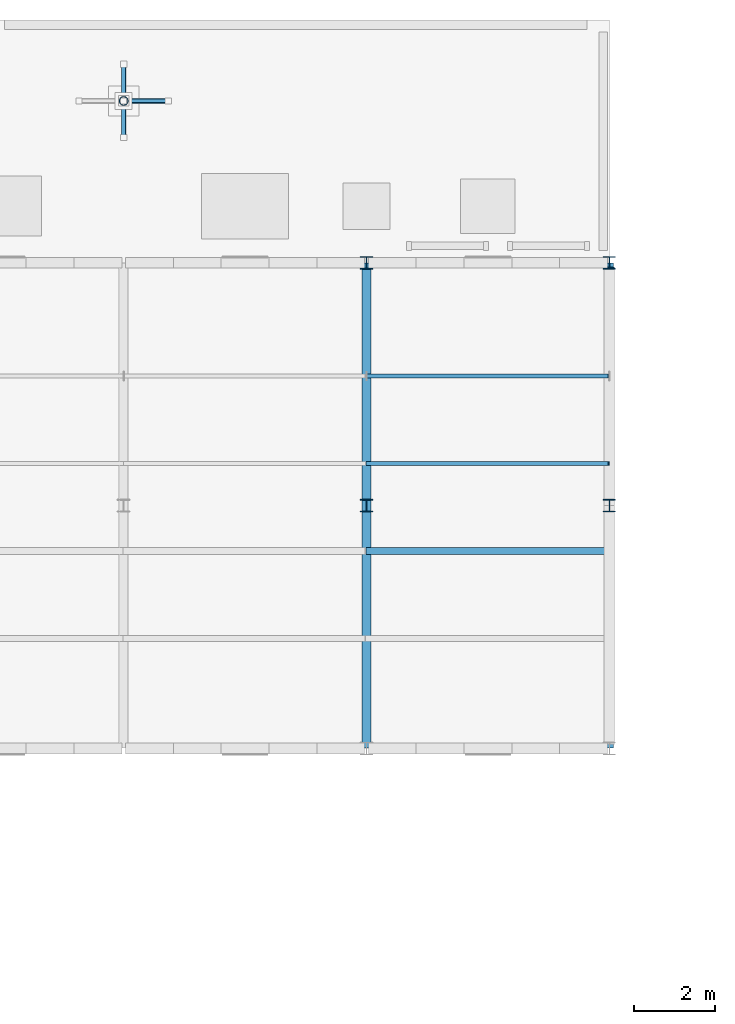
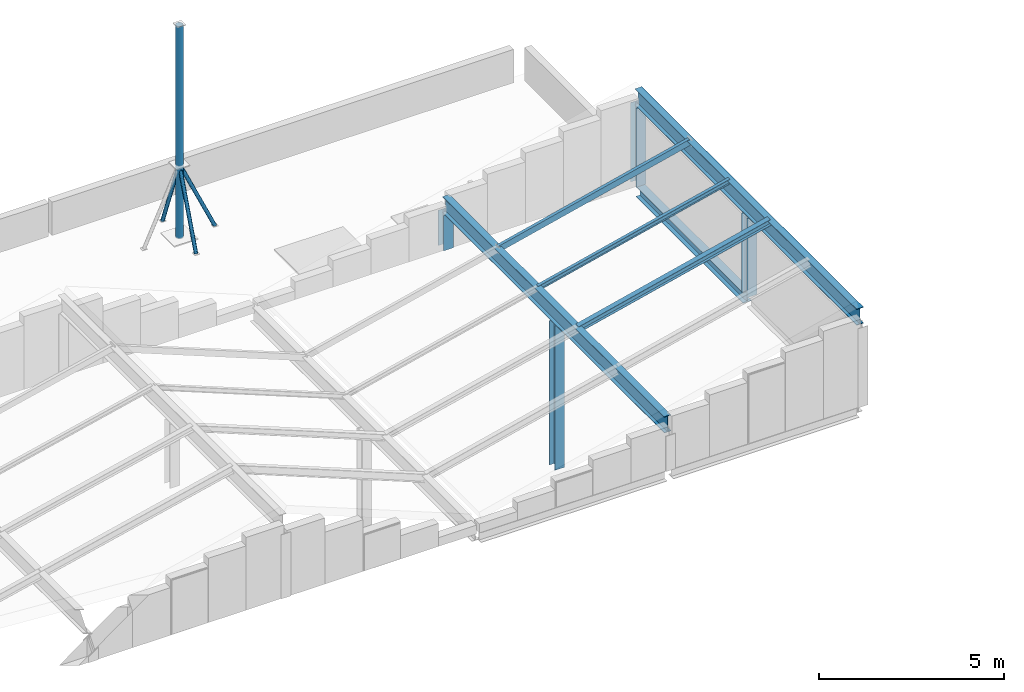
# One storey, part 21 of 74: 11 members, 3 beams.
"""IFC4 building model written with IfcOpenShell, lengths in metres."""

from ifc_helpers import new_model, si_unit, direction, frame, origin, origin_2d, place, context, subcontext, project, spatial, hollow_rectangle, hollow_circle, i_section, extrude, material, material_profile, profile_set, type_object, element, save


model = new_model("IFC4")

# Units and contexts
model_context = context("Model", 3, precision=1e-05, world=origin(), true_north=direction((0.0, 1.0)))
body_context = subcontext(model_context, "Body", "Model", "MODEL_VIEW")
ifc_project = project(units=[si_unit("LENGTHUNIT", "METRE"), si_unit("AREAUNIT", "SQUARE_METRE"), si_unit("VOLUMEUNIT", "CUBIC_METRE"), si_unit("PLANEANGLEUNIT", "RADIAN"), si_unit("MASSUNIT", "GRAM", prefix="KILO")], contexts=[model_context])

# Site, building, storey
site_placement = place(None, origin())
site = spatial("IfcSite", under=ifc_project, at=site_placement, CompositionType="ELEMENT")
building_placement = place(site_placement, origin())
building = spatial("IfcBuilding", under=site, at=building_placement, Name="Siltcreek Boulevard Central Fire Station", CompositionType="ELEMENT")
storey_placement = place(building_placement, frame((0.0, 0.0, 25.199951171875)))
storey = spatial("IfcBuildingStorey", under=building, at=storey_placement, Name="RF", CompositionType="ELEMENT", Elevation=25.199951171875)

# Beams
ifc_material_1 = material(Name="Structural steel ASTM A992 Gr50", Category="steel")
ifc_material_profile_1 = material_profile(ifc_material_1, i_section(OverallWidth=0.25390625, OverallDepth=0.35302734375, WebThickness=0.009521484375, FlangeThickness=0.016357421875, at=origin_2d()), Name="W360X91")
ifc_profile_set_1 = profile_set([ifc_material_profile_1], Name="Structural steel ASTM A992 Gr50")
beam_type_1 = type_object("IfcBeamType", Name="BM_W360X91", PredefinedType="BEAM", material=ifc_profile_set_1)
beam_placement = place(storey_placement, frame((154.199951171875, 100.300048828125, -3.7763671875), z_axis=(0.0, 1.0, 0.0), x_axis=(-1.0, 0.0, 0.0)))
element("IfcBeam", 1, at=beam_placement, inside=storey, type_object=beam_type_1, Name="Perimeter roof eave tie beam EB-09", PredefinedType="BEAM", context=body_context, shape_type="SweptSolid", body=[
    extrude(i_section(OverallWidth=0.25390625, OverallDepth=0.35302734375, WebThickness=0.009521484375, FlangeThickness=0.016357421875, at=origin_2d()), origin(), (0.0, 0.0, 1.0), 5.800048828125),
])
ifc_material_profile_2 = material_profile(ifc_material_1, i_section(OverallWidth=0.2109375, OverallDepth=0.5390625, WebThickness=0.01171875, FlangeThickness=0.018798828125, at=origin_2d()), Name="W530X109")
ifc_profile_set_2 = profile_set([ifc_material_profile_2], Name="Structural steel ASTM A992 Gr50")
beam_type_2 = type_object("IfcBeamType", Name="BM_W530X109", PredefinedType="BEAM", material=ifc_profile_set_2)
for number, where, z_axis, x_axis, name in (
    (2, (148.199951171875, 94.2099609375, -2.175048828125), (0.0, 1.0, 0.0), (-1.0, 0.0, 0.0), "Pitched roof rafter beam RFB-055"),
    (3, (154.199951171875, 94.2099609375, -0.724853515625), (0.0, 1.0, 0.0), (-1.0, 0.0, 0.0), "Pitched roof rafter beam RFB-056"),
):
    element("IfcBeam", number, at=place(storey_placement, frame(where, z_axis=z_axis, x_axis=x_axis)), inside=storey, type_object=beam_type_2, Name=name, PredefinedType="BEAM", context=body_context, shape_type="SweptSolid", body=[
        extrude(i_section(OverallWidth=0.2109375, OverallDepth=0.5390625, WebThickness=0.01171875, FlangeThickness=0.018798828125, at=origin_2d()), origin(), (0.0, 0.0, 1.0), 11.97998046875),
    ])

# Members
ifc_material_2 = material(Name="Structural steel ASTM A500 GrC", Category="steel")
ifc_material_profile_3 = material_profile(ifc_material_2, hollow_circle(Radius=0.05712890625, WallThickness=0.006103515625, at=origin_2d()), Name="HSS114.3X6.0")
ifc_profile_set_3 = profile_set([ifc_material_profile_3], Name="Structural steel ASTM A500 GrC")
member_type_1 = type_object("IfcMemberType", Name="BR_CHS114", PredefinedType="BRACE", material=ifc_profile_set_3)
member_1_placement = place(storey_placement, frame((143.300048828125, 110.199951171875, -3.599853515625), z_axis=(-0.416699289788, 0.0, 0.909044389395), x_axis=(0.0, -1.0, 0.0)))
element("IfcMember", 4, at=member_1_placement, inside=storey, type_object=member_type_1, Name="Communications mast MB1 base diagonal strut 1", PredefinedType="BRACE", context=body_context, shape_type="SweptSolid", body=[
    extrude(hollow_circle(Radius=0.05712890625, WallThickness=0.006103515625, at=origin_2d()), origin(), (0.0, 0.0, 1.0), 2.64013671875),
])
member_2_placement = place(storey_placement, frame((142.199951171875, 111.10009765625, -3.599853515625), z_axis=(0.0, -0.351186070819, 0.936305689218), x_axis=(1.0, 0.0, 0.0)))
element("IfcMember", 5, at=member_2_placement, inside=storey, type_object=member_type_1, Name="Communications mast MB1 base diagonal strut 3", PredefinedType="BRACE", context=body_context, shape_type="SweptSolid", body=[
    extrude(hollow_circle(Radius=0.05712890625, WallThickness=0.006103515625, at=origin_2d()), origin(), (0.0, 0.0, 1.0), 2.563232421875),
])
member_3_placement = place(storey_placement, frame((142.199951171875, 109.300048828125, -3.599853515625), z_axis=(0.0, 0.351102564131, 0.93633700635), x_axis=(-1.0, 0.0, 0.0)))
element("IfcMember", 6, at=member_3_placement, inside=storey, type_object=member_type_1, Name="Communications mast MB1 base diagonal strut 4", PredefinedType="BRACE", context=body_context, shape_type="SweptSolid", body=[
    extrude(hollow_circle(Radius=0.05712890625, WallThickness=0.006103515625, at=origin_2d()), origin(), (0.0, 0.0, 1.0), 2.56298828125),
])
ifc_material_profile_4 = material_profile(ifc_material_2, hollow_circle(Radius=0.109619140625, WallThickness=0.00830078125, at=origin_2d()), Name="HSS219.1X8.2")
ifc_profile_set_4 = profile_set([ifc_material_profile_4], Name="Structural steel ASTM A500 GrC")
member_type_2 = type_object("IfcMemberType", Name="BR_CHS219", PredefinedType="BRACE", material=ifc_profile_set_4)
member_4_placement = place(storey_placement, frame((142.199951171875, 110.199951171875, -3.599853515625), z_axis=(0.0, 0.0, 1.0), x_axis=(1.0, 0.0, 0.0)))
element("IfcMember", 7, at=member_4_placement, inside=storey, type_object=member_type_2, Name="Emergency radio communications mast MB1 shaft", PredefinedType="BRACE", context=body_context, shape_type="SweptSolid", body=[
    extrude(hollow_circle(Radius=0.109619140625, WallThickness=0.00830078125, at=origin_2d()), origin(), (0.0, 0.0, 1.0), 7.0),
])
ifc_material_profile_5 = material_profile(ifc_material_1, i_section(OverallWidth=0.304931640625, OverallDepth=0.30810546875, WebThickness=0.010009765625, FlangeThickness=0.015380859375, at=origin_2d()), Name="W310X97")
ifc_profile_set_5 = profile_set([ifc_material_profile_5], Name="Structural steel ASTM A992 Gr50")
member_type_3 = type_object("IfcMemberType", Name="CH_W310X97", PredefinedType="CHORD", material=ifc_profile_set_5)
member_5_placement = place(storey_placement, frame((148.199951171875, 100.199951171875, -7.199951171875), z_axis=(0.0, 0.0, 1.0), x_axis=(1.0, 0.0, 0.0)))
element("IfcMember", 8, at=member_5_placement, inside=storey, type_object=member_type_3, Name="Roof bearing truss post 0786", PredefinedType="CHORD", context=body_context, shape_type="SweptSolid", body=[
    extrude(i_section(OverallWidth=0.304931640625, OverallDepth=0.30810546875, WebThickness=0.010009765625, FlangeThickness=0.015380859375, at=origin_2d()), origin(), (0.0, 0.0, 1.0), 4.759521484375),
])
member_6_placement = place(storey_placement, frame((148.199951171875, 106.199951171875, -3.599853515625), z_axis=(0.0, 0.0, 1.0), x_axis=(1.0, 0.0, 0.0)))
element("IfcMember", 9, at=member_6_placement, inside=storey, type_object=member_type_3, Name="Roof bearing truss post 0787", PredefinedType="CHORD", context=body_context, shape_type="SweptSolid", body=[
    extrude(i_section(OverallWidth=0.304931640625, OverallDepth=0.30810546875, WebThickness=0.010009765625, FlangeThickness=0.015380859375, at=origin_2d()), origin(), (0.0, 0.0, 1.0), 1.159423828125),
])
for number, where, z_axis, x_axis, name in (
    (10, (154.199951171875, 100.199951171875, -3.599853515625), (0.0, 0.0, 1.0), (1.0, 0.0, 0.0), "Roof bearing truss post 0793"),
    (11, (154.199951171875, 106.199951171875, -3.599853515625), (0.0, 0.0, 1.0), (1.0, 0.0, 0.0), "Roof bearing truss post 0794"),
):
    element("IfcMember", number, at=place(storey_placement, frame(where, z_axis=z_axis, x_axis=x_axis)), inside=storey, type_object=member_type_3, Name=name, PredefinedType="CHORD", context=body_context, shape_type="SweptSolid", body=[
        extrude(i_section(OverallWidth=0.304931640625, OverallDepth=0.30810546875, WebThickness=0.010009765625, FlangeThickness=0.015380859375, at=origin_2d()), origin(), (0.0, 0.0, 1.0), 2.609375),
    ])
ifc_material_profile_6 = material_profile(ifc_material_2, hollow_rectangle(XDim=0.10009765625, YDim=0.199951171875, WallThickness=0.00634765625, at=origin_2d()), Name="HSS200X100X6.4")
ifc_profile_set_6 = profile_set([ifc_material_profile_6], Name="Structural steel ASTM A500 GrC")
member_type_4 = type_object("IfcMemberType", Name="PR_HSS200X100", PredefinedType="PURLIN", material=ifc_profile_set_6)
member_7_placement = place(storey_placement, frame((148.2099609375, 103.406005859375, -1.9716796875), z_axis=(0.972012875749, 0.0, 0.234927583263), x_axis=(0.0, 1.0, 0.0)))
element("IfcMember", 12, at=member_7_placement, inside=storey, type_object=member_type_4, Name="Sloped roof purlin PR-0287", PredefinedType="PURLIN", context=body_context, shape_type="SweptSolid", body=[
    extrude(hollow_rectangle(XDim=0.10009765625, YDim=0.199951171875, WallThickness=0.00634765625, at=origin_2d()), origin(), (0.0, 0.0, 1.0), 6.152099609375),
])
ifc_material_profile_7 = material_profile(ifc_material_1, i_section(OverallWidth=0.10205078125, OverallDepth=0.159912109375, WebThickness=0.006591796875, FlangeThickness=0.01025390625, at=origin_2d()), Name="W150X24")
ifc_profile_set_7 = profile_set([ifc_material_profile_7], Name="Structural steel ASTM A992 Gr50")
member_type_5 = type_object("IfcMemberType", Name="PR_W150X24", PredefinedType="PURLIN", material=ifc_profile_set_7)
member_8_placement = place(storey_placement, frame((148.2099609375, 101.241943359375, -1.950927734375), z_axis=(0.972021936991, 0.0, 0.234890089208), x_axis=(0.0, 1.0, 0.0)))
element("IfcMember", 13, at=member_8_placement, inside=storey, type_object=member_type_5, Name="Sloped roof purlin PR-0286", PredefinedType="PURLIN", context=body_context, shape_type="SweptSolid", body=[
    extrude(i_section(OverallWidth=0.10205078125, OverallDepth=0.159912109375, WebThickness=0.006591796875, FlangeThickness=0.01025390625, at=origin_2d()), origin(), (0.0, 0.0, 1.0), 6.152099609375),
])
ifc_material_profile_8 = material_profile(ifc_material_1, i_section(OverallWidth=0.1650390625, OverallDepth=0.200927734375, WebThickness=0.006103515625, FlangeThickness=0.01025390625, at=origin_2d()), Name="W200X36")
ifc_profile_set_8 = profile_set([ifc_material_profile_8], Name="Structural steel ASTM A992 Gr50")
member_type_6 = type_object("IfcMemberType", Name="PR_W200X36", PredefinedType="PURLIN", material=ifc_profile_set_8)
member_9_placement = place(storey_placement, frame((148.2099609375, 99.077880859375, -1.97216796875), z_axis=(0.972012875749, 0.0, 0.234927583263), x_axis=(0.0, 1.0, 0.0)))
element("IfcMember", 14, at=member_9_placement, inside=storey, type_object=member_type_6, Name="Sloped roof purlin PR-0285", PredefinedType="PURLIN", context=body_context, shape_type="SweptSolid", body=[
    extrude(i_section(OverallWidth=0.1650390625, OverallDepth=0.200927734375, WebThickness=0.006103515625, FlangeThickness=0.01025390625, at=origin_2d()), origin(), (0.0, 0.0, 1.0), 6.152099609375),
])

save(model, "model.ifc")
